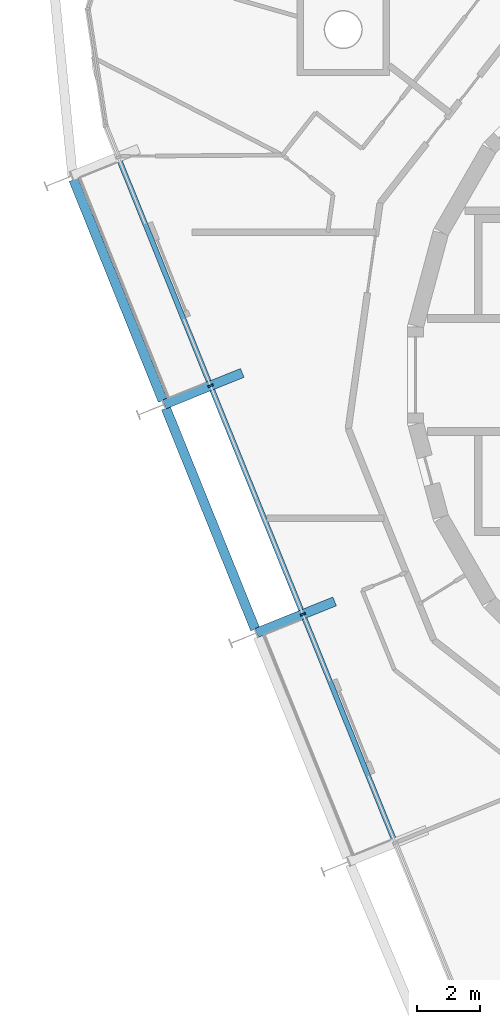
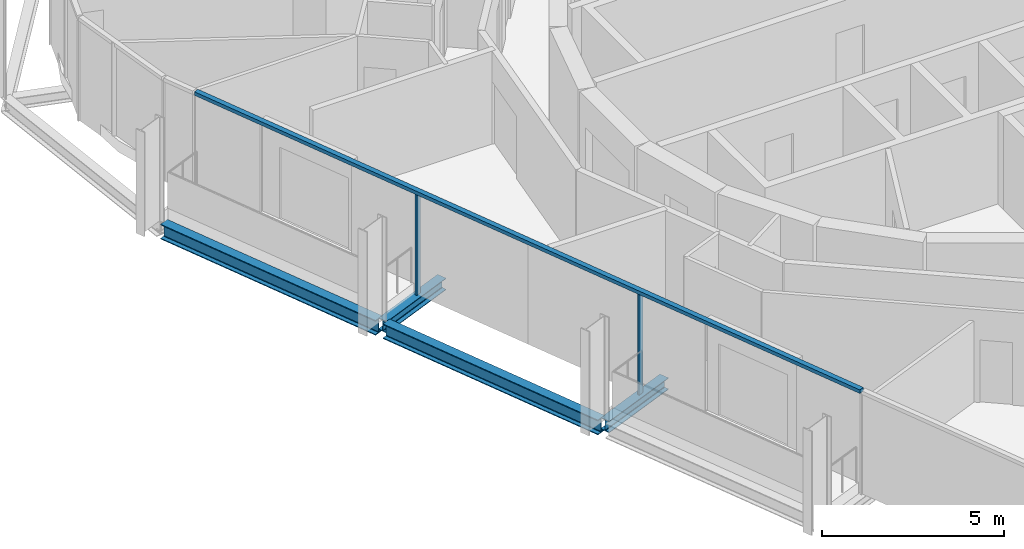
# One storey, part 3 of 15: 4 beams, 3 members, 1 element without a shape of its own.
"""IFC4 building model written with IfcOpenShell, lengths in metres."""

from ifc_helpers import new_model, si_unit, direction, frame, origin, origin_2d, place, context, subcontext, project, spatial, rectangle, i_section, extrude, material, layer, layer_set, material_profile, profile_set, type_object, element, aggregate, save


model = new_model("IFC4")

# Units and contexts
model_context = context("Model", 3, precision=1e-05, world=origin(), true_north=direction((0.0, 1.0)))
body_context = subcontext(model_context, "Body", "Model", "MODEL_VIEW")
ifc_project = project(units=[si_unit("LENGTHUNIT", "METRE"), si_unit("AREAUNIT", "SQUARE_METRE"), si_unit("VOLUMEUNIT", "CUBIC_METRE"), si_unit("PLANEANGLEUNIT", "RADIAN"), si_unit("MASSUNIT", "GRAM", prefix="KILO")], contexts=[model_context])

# Site, building, storey
site_placement = place(None, origin())
site = spatial("IfcSite", under=ifc_project, at=site_placement, CompositionType="ELEMENT")
building_placement = place(site_placement, origin())
building = spatial("IfcBuilding", under=site, at=building_placement, Name="Spindle Arch Residences", CompositionType="ELEMENT")
storey_placement = place(building_placement, frame((0.0, 0.0, 357.5)))
storey = spatial("IfcBuildingStorey", under=building, at=storey_placement, Name="L92", CompositionType="ELEMENT", Elevation=357.5)

# Curtain wall, members
ifc_material_1 = material(Name="Aluminium bronze unitised frame with tinted glass", Category="aluminium")
ifc_layer = layer(ifc_material_1, 0.159912109375)
ifc_layer_set = layer_set([ifc_layer], Name="CW-C typical residential unitised wall")
curtain_wall_type = type_object("IfcCurtainWallType", Name="CW-C typical residential unitised wall", PredefinedType="NOTDEFINED", material=ifc_layer_set)
curtain_wall_placement = place(storey_placement, origin())
curtain_wall = element("IfcCurtainWall", 1, at=curtain_wall_placement, inside=storey, type_object=curtain_wall_type, Name="CW-C L92 run 4", PredefinedType="NOTDEFINED")
ifc_material_2 = material(Name="Aluminium bronze anodised mullion", Category="aluminium")
ifc_material_profile_1 = material_profile(ifc_material_2, rectangle(XDim=0.159912109375, YDim=0.06005859375, at=origin_2d()), Name="MU 60x160")
ifc_profile_set_1 = profile_set([ifc_material_profile_1], Name="Aluminium bronze anodised mullion")
member_type_1 = type_object("IfcMemberType", Name="Bronze mullion 60x160", PredefinedType="MULLION", material=ifc_profile_set_1)
member_1_placement = place(storey_placement, frame((-18.110595703125, -0.337646484375, -0.3798828125), z_axis=(0.0, 0.0, 1.0), x_axis=(0.927183854567, 0.374606593416, 0.0)))
member_1 = element("IfcMember", 2, at=member_1_placement, type_object=member_type_1, Name="CW-C mullion 12", PredefinedType="MULLION", context=body_context, shape_type="SweptSolid", body=[
    extrude(rectangle(XDim=0.159912109375, YDim=0.06005859375, at=origin_2d()), origin(), (0.0, 0.0, 1.0), 3.3798828125),
])
member_2_placement = place(storey_placement, frame((-15.20166015625, -7.537841796875, -0.3798828125), z_axis=(0.0, 0.0, 1.0), x_axis=(0.927183854567, 0.374606593416, 0.0)))
member_2 = element("IfcMember", 3, at=member_2_placement, type_object=member_type_1, Name="CW-C mullion 13", PredefinedType="MULLION", context=body_context, shape_type="SweptSolid", body=[
    extrude(rectangle(XDim=0.159912109375, YDim=0.06005859375, at=origin_2d()), origin(), (0.0, 0.0, 1.0), 3.3798828125),
])
ifc_material_3 = material(Name="Aluminium bronze anodised transom", Category="aluminium")
ifc_material_profile_2 = material_profile(ifc_material_3, rectangle(XDim=0.159912109375, YDim=0.1201171875, at=origin_2d()), Name="TR 120x160")
ifc_profile_set_2 = profile_set([ifc_material_profile_2], Name="Aluminium bronze anodised transom")
member_type_2 = type_object("IfcMemberType", Name="Bronze transom 120x160", PredefinedType="USERDEFINED", material=ifc_profile_set_2)
member_3_placement = place(storey_placement, frame((-21.008544921875, 6.834716796875, 3.06005859375), z_axis=(0.374602019708, -0.927185702452, 0.0), x_axis=(0.927185702452, 0.374602019708, 0.0)))
member_3 = element("IfcMember", 4, at=member_3_placement, type_object=member_type_2, Name="CW-C transom 00", ObjectType="TRANSOM", PredefinedType="USERDEFINED", context=body_context, shape_type="SweptSolid", body=[
    extrude(rectangle(XDim=0.159912109375, YDim=0.1201171875, at=origin_2d()), origin(), (0.0, 0.0, 1.0), 23.23681640625),
])
aggregate(curtain_wall, [member_3, member_1, member_2])

# Beams
ifc_material_4 = material(Name="Steel S460ML, intumescent coating R 120", Category="steel")
ifc_material_profile_3 = material_profile(ifc_material_4, i_section(OverallWidth=0.300048828125, OverallDepth=0.5, WebThickness=0.014404296875, FlangeThickness=0.028076171875, FilletRadius=0.027099609375, at=origin_2d()), Name="HEB 500")
ifc_profile_set_3 = profile_set([ifc_material_profile_3], Name="Steel S460ML, intumescent coating R 120")
beam_type_1 = type_object("IfcBeamType", Name="Exoskeleton edge beam HEB 500", PredefinedType="BEAM", material=ifc_profile_set_3)
beam_1_placement = place(storey_placement, frame((-22.4267578125, 6.15380859375, -0.6298828125), z_axis=(0.374613092792, -0.927181228622, 0.0), x_axis=(0.927181228622, 0.374613092792, 0.0)))
element("IfcBeam", 5, at=beam_1_placement, inside=storey, type_object=beam_type_1, Name="Exoskeleton edge beam 12", PredefinedType="BEAM", context=body_context, shape_type="SweptSolid", body=[
    extrude(i_section(OverallWidth=0.300048828125, OverallDepth=0.5, WebThickness=0.014404296875, FlangeThickness=0.028076171875, FilletRadius=0.027099609375, at=origin_2d()), origin(), (0.0, 0.0, 1.0), 7.505859375),
])
beam_2_placement = place(storey_placement, frame((-19.517578125, -1.04638671875, -0.6298828125), z_axis=(0.374596427458, -0.927187961816, 0.0), x_axis=(0.927187961816, 0.374596427458, 0.0)))
element("IfcBeam", 6, at=beam_2_placement, inside=storey, type_object=beam_type_1, Name="Exoskeleton edge beam 13", PredefinedType="BEAM", context=body_context, shape_type="SweptSolid", body=[
    extrude(i_section(OverallWidth=0.300048828125, OverallDepth=0.5, WebThickness=0.014404296875, FlangeThickness=0.028076171875, FilletRadius=0.027099609375, at=origin_2d()), origin(), (0.0, 0.0, 1.0), 7.50537109375),
])
ifc_material_5 = material(Name="Steel S460ML, intumescent coating R 120", Category="steel")
ifc_material_profile_4 = material_profile(ifc_material_5, i_section(OverallWidth=0.300048828125, OverallDepth=0.389892578125, WebThickness=0.010986328125, FlangeThickness=0.01904296875, FilletRadius=0.027099609375, at=origin_2d()), Name="HEA 400")
ifc_profile_set_4 = profile_set([ifc_material_profile_4], Name="Steel S460ML, intumescent coating R 120")
beam_type_2 = type_object("IfcBeamType", Name="Floor outrigger HEA 400", PredefinedType="BEAM", material=ifc_profile_set_4)
beam_3_placement = place(storey_placement, frame((-19.56640625, -0.92578125, -0.574951171875), z_axis=(0.927187692393, 0.374597094323, 0.0), x_axis=(-0.374597094323, 0.927187692393, 0.0)))
element("IfcBeam", 7, at=beam_3_placement, inside=storey, type_object=beam_type_2, Name="Floor outrigger 13", PredefinedType="BEAM", context=body_context, shape_type="SweptSolid", body=[
    extrude(i_section(OverallWidth=0.300048828125, OverallDepth=0.389892578125, WebThickness=0.010986328125, FlangeThickness=0.01904296875, FilletRadius=0.027099609375, at=origin_2d()), origin(), (0.0, 0.0, 1.0), 2.64990234375),
])
beam_4_placement = place(storey_placement, frame((-16.657470703125, -8.1259765625, -0.574951171875), z_axis=(0.927200618573, 0.374565098372, 0.0), x_axis=(-0.374565098372, 0.927200618573, 0.0)))
element("IfcBeam", 8, at=beam_4_placement, inside=storey, type_object=beam_type_2, Name="Floor outrigger 14", PredefinedType="BEAM", context=body_context, shape_type="SweptSolid", body=[
    extrude(i_section(OverallWidth=0.300048828125, OverallDepth=0.389892578125, WebThickness=0.010986328125, FlangeThickness=0.01904296875, FilletRadius=0.027099609375, at=origin_2d()), origin(), (0.0, 0.0, 1.0), 2.650146484375),
])

save(model, "model.ifc")
